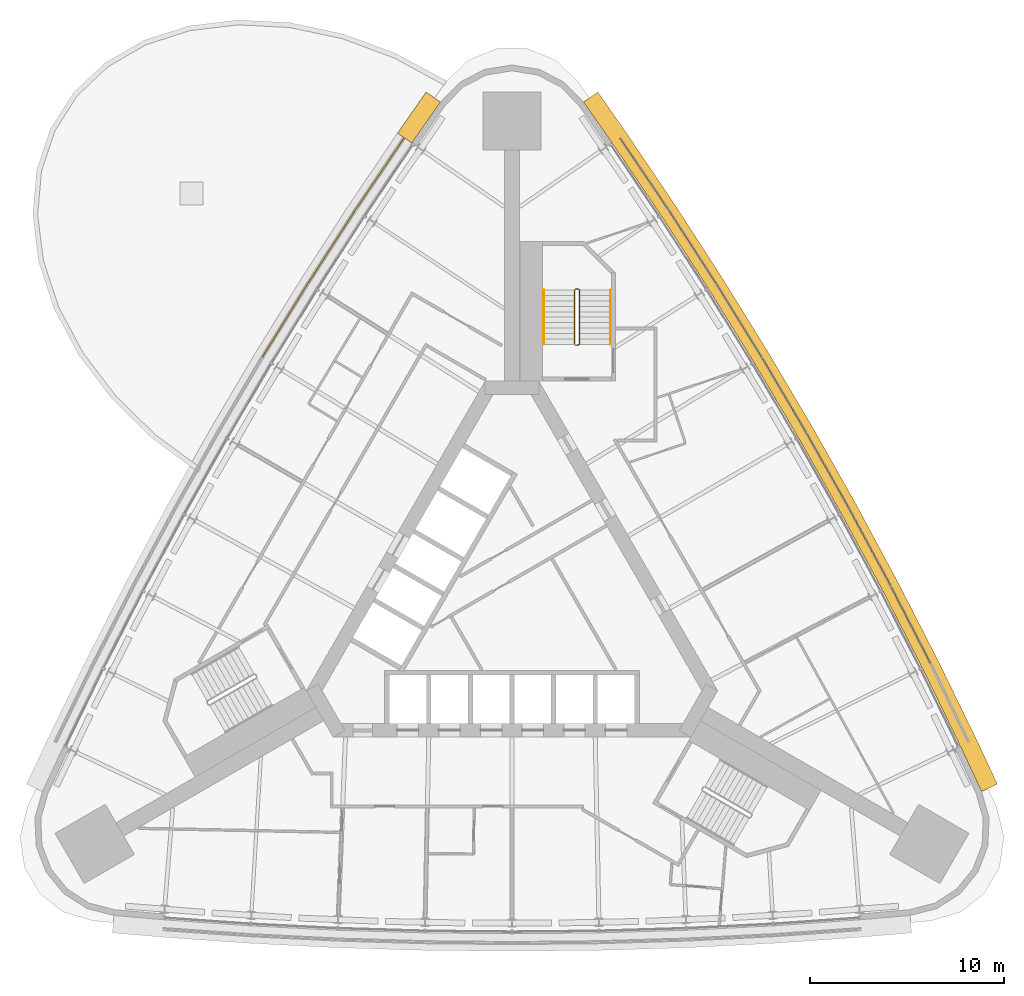
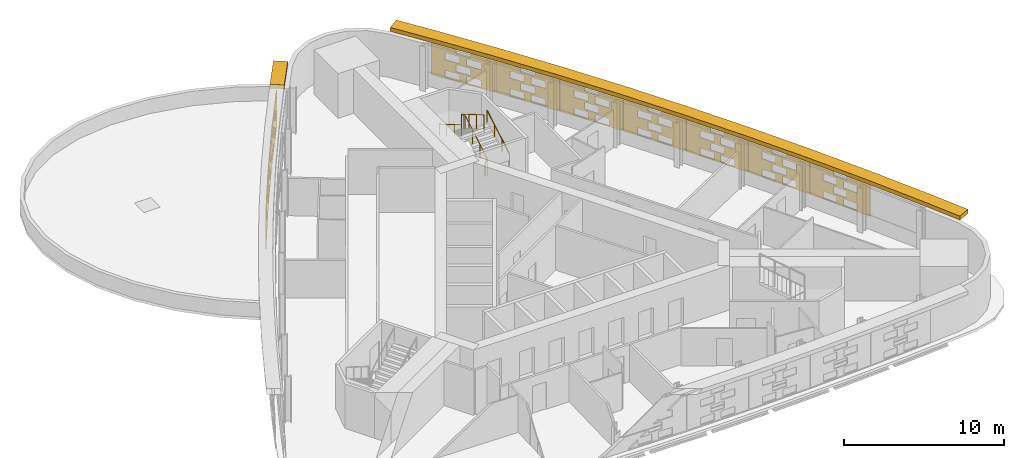
# One storey, part 12 of 12: 12 shading devices, 3 railings.
"""IFC4 building model written with IfcOpenShell, lengths in metres."""

from ifc_helpers import new_model, si_unit, direction, frame, origin, origin_2d, place, context, subcontext, project, spatial, polyline, circle, outline, extrude, material, material_profile, profile_set, type_object, element, save


model = new_model("IFC4")

# Units and contexts
model_context = context("Model", 3, precision=1e-05, world=origin(), true_north=direction((0.0, 1.0)))
body_context = subcontext(model_context, "Body", "Model", "MODEL_VIEW")
ifc_project = project(units=[si_unit("LENGTHUNIT", "METRE"), si_unit("AREAUNIT", "SQUARE_METRE"), si_unit("VOLUMEUNIT", "CUBIC_METRE"), si_unit("PLANEANGLEUNIT", "RADIAN"), si_unit("MASSUNIT", "GRAM", prefix="KILO")], contexts=[model_context])

# Site, building, storey
site_placement = place(None, origin())
site = spatial("IfcSite", under=ifc_project, at=site_placement, CompositionType="ELEMENT")
building_placement = place(site_placement, origin())
building = spatial("IfcBuilding", under=site, at=building_placement, Name="Noor Cloister Tower", CompositionType="ELEMENT")
storey_placement = place(building_placement, frame((0.0, 0.0, 105.89990234375)))
storey = spatial("IfcBuildingStorey", under=building, at=storey_placement, Name="L27", CompositionType="ELEMENT", Elevation=105.89990234375)

# Shading devices
ifc_material_1 = material(Name="Limestone", Category="masonry")
ifc_material_profile = material_profile(ifc_material_1, outline(polyline([(-2.22998046875, -1.35009765625), (2.22998046875, -1.35009765625), (2.22998046875, 1.35009765625), (-2.22998046875, 1.35009765625), (-2.22998046875, -1.35009765625)]), holes=[polyline([(-1.25, -1.282470703125), (-0.25, -1.282470703125), (-0.25, -0.742431640625), (-1.25, -0.742431640625), (-1.25, -1.282470703125)]), polyline([(0.25, -1.282470703125), (1.25, -1.282470703125), (1.25, -0.742431640625), (0.25, -0.742431640625), (0.25, -1.282470703125)]), polyline([(-0.5, -0.607421875), (0.5, -0.607421875), (0.5, -0.0673828125), (-0.5, -0.0673828125), (-0.5, -0.607421875)]), polyline([(-1.25, 0.0673828125), (-0.25, 0.0673828125), (-0.25, 0.607421875), (-1.25, 0.607421875), (-1.25, 0.0673828125)]), polyline([(0.25, 0.0673828125), (1.25, 0.0673828125), (1.25, 0.607421875), (0.25, 0.607421875), (0.25, 0.0673828125)]), polyline([(-0.5, 0.742431640625), (0.5, 0.742431640625), (0.5, 1.282470703125), (-0.5, 1.282470703125), (-0.5, 0.742431640625)])]), Name="Woven screen 28 percent open")
ifc_profile_set = profile_set([ifc_material_profile], Name="Limestone")
shading_device_type_1 = type_object("IfcShadingDeviceType", Name="SCREEN woven limestone 28 percent open", PredefinedType="USERDEFINED", material=ifc_profile_set)
shading_device_1_placement = place(storey_placement, frame((-6.802978515625, 22.134765625, 1.85009765625), z_axis=(-0.828283413128, 0.560309367704, 0.0), x_axis=(-0.560309367704, -0.828283413128, 0.0)))
element("IfcShadingDevice", 1, at=shading_device_1_placement, inside=storey, type_object=shading_device_type_1, Name="SCREEN L27 1", ObjectType="SCREEN", PredefinedType="USERDEFINED", context=body_context, shape_type="SweptSolid", body=[
    extrude(outline(polyline([(-2.22998046875, -1.35009765625), (2.22998046875, -1.35009765625), (2.22998046875, 1.35009765625), (-2.22998046875, 1.35009765625), (-2.22998046875, -1.35009765625)]), holes=[polyline([(-1.25, -1.282470703125), (-0.25, -1.282470703125), (-0.25, -0.742431640625), (-1.25, -0.742431640625), (-1.25, -1.282470703125)]), polyline([(0.25, -1.282470703125), (1.25, -1.282470703125), (1.25, -0.742431640625), (0.25, -0.742431640625), (0.25, -1.282470703125)]), polyline([(-0.5, -0.607421875), (0.5, -0.607421875), (0.5, -0.0673828125), (-0.5, -0.0673828125), (-0.5, -0.607421875)]), polyline([(-1.25, 0.0673828125), (-0.25, 0.0673828125), (-0.25, 0.607421875), (-1.25, 0.607421875), (-1.25, 0.0673828125)]), polyline([(0.25, 0.0673828125), (1.25, 0.0673828125), (1.25, 0.607421875), (0.25, 0.607421875), (0.25, 0.0673828125)]), polyline([(-0.5, 0.742431640625), (0.5, 0.742431640625), (0.5, 1.282470703125), (-0.5, 1.282470703125), (-0.5, 0.742431640625)])]), origin(), (0.0, 0.0, 1.0), 0.06005859375),
])
shading_device_2_placement = place(storey_placement, frame((-9.288330078125, 18.373046875, 1.85009765625), z_axis=(-0.840116811995, 0.54240551454, 0.0), x_axis=(-0.54240551454, -0.840116811995, 0.0)))
element("IfcShadingDevice", 2, at=shading_device_2_placement, inside=storey, type_object=shading_device_type_1, Name="SCREEN L27 2", ObjectType="SCREEN", PredefinedType="USERDEFINED", context=body_context, shape_type="SweptSolid", body=[
    extrude(outline(polyline([(-2.22998046875, -1.35009765625), (2.22998046875, -1.35009765625), (2.22998046875, 1.35009765625), (-2.22998046875, 1.35009765625), (-2.22998046875, -1.35009765625)]), holes=[polyline([(-1.25, -1.282470703125), (-0.25, -1.282470703125), (-0.25, -0.742431640625), (-1.25, -0.742431640625), (-1.25, -1.282470703125)]), polyline([(0.25, -1.282470703125), (1.25, -1.282470703125), (1.25, -0.742431640625), (0.25, -0.742431640625), (0.25, -1.282470703125)]), polyline([(-0.5, -0.607421875), (0.5, -0.607421875), (0.5, -0.0673828125), (-0.5, -0.0673828125), (-0.5, -0.607421875)]), polyline([(-1.25, 0.0673828125), (-0.25, 0.0673828125), (-0.25, 0.607421875), (-1.25, 0.607421875), (-1.25, 0.0673828125)]), polyline([(0.25, 0.0673828125), (1.25, 0.0673828125), (1.25, 0.607421875), (0.25, 0.607421875), (0.25, 0.0673828125)]), polyline([(-0.5, 0.742431640625), (0.5, 0.742431640625), (0.5, 1.282470703125), (-0.5, 1.282470703125), (-0.5, 0.742431640625)])]), origin(), (0.0, 0.0, 1.0), 0.059814453125),
])
shading_device_3_placement = place(storey_placement, frame((-11.697509765625, 14.56201171875, 1.85009765625), z_axis=(-0.850958576931, 0.525232805857, 0.0), x_axis=(-0.525232805857, -0.850958576931, 0.0)))
element("IfcShadingDevice", 3, at=shading_device_3_placement, inside=storey, type_object=shading_device_type_1, Name="SCREEN L27 3", ObjectType="SCREEN", PredefinedType="USERDEFINED", context=body_context, shape_type="SweptSolid", body=[
    extrude(outline(polyline([(-2.22998046875, -1.35009765625), (2.22998046875, -1.35009765625), (2.22998046875, 1.35009765625), (-2.22998046875, 1.35009765625), (-2.22998046875, -1.35009765625)]), holes=[polyline([(-1.25, -1.282470703125), (-0.25, -1.282470703125), (-0.25, -0.742431640625), (-1.25, -0.742431640625), (-1.25, -1.282470703125)]), polyline([(0.25, -1.282470703125), (1.25, -1.282470703125), (1.25, -0.742431640625), (0.25, -0.742431640625), (0.25, -1.282470703125)]), polyline([(-0.5, -0.607421875), (0.5, -0.607421875), (0.5, -0.0673828125), (-0.5, -0.0673828125), (-0.5, -0.607421875)]), polyline([(-1.25, 0.0673828125), (-0.25, 0.0673828125), (-0.25, 0.607421875), (-1.25, 0.607421875), (-1.25, 0.0673828125)]), polyline([(0.25, 0.0673828125), (1.25, 0.0673828125), (1.25, 0.607421875), (0.25, 0.607421875), (0.25, 0.0673828125)]), polyline([(-0.5, 0.742431640625), (0.5, 0.742431640625), (0.5, 1.282470703125), (-0.5, 1.282470703125), (-0.5, 0.742431640625)])]), origin(), (0.0, 0.0, 1.0), 0.06005859375),
])
shading_device_4_placement = place(storey_placement, frame((20.5556640625, -1.142578125, 1.85009765625), z_axis=(0.88947737876, 0.456979203766, 0.0), x_axis=(-0.456979203766, 0.88947737876, 0.0)))
element("IfcShadingDevice", 4, at=shading_device_4_placement, inside=storey, type_object=shading_device_type_1, Name="SCREEN L27 2", ObjectType="SCREEN", PredefinedType="USERDEFINED", context=body_context, shape_type="SweptSolid", body=[
    extrude(outline(polyline([(-2.22998046875, -1.35009765625), (2.22998046875, -1.35009765625), (2.22998046875, 1.35009765625), (-2.22998046875, 1.35009765625), (-2.22998046875, -1.35009765625)]), holes=[polyline([(-1.25, -1.282470703125), (-0.25, -1.282470703125), (-0.25, -0.742431640625), (-1.25, -0.742431640625), (-1.25, -1.282470703125)]), polyline([(0.25, -1.282470703125), (1.25, -1.282470703125), (1.25, -0.742431640625), (0.25, -0.742431640625), (0.25, -1.282470703125)]), polyline([(-0.5, -0.607421875), (0.5, -0.607421875), (0.5, -0.0673828125), (-0.5, -0.0673828125), (-0.5, -0.607421875)]), polyline([(-1.25, 0.0673828125), (-0.25, 0.0673828125), (-0.25, 0.607421875), (-1.25, 0.607421875), (-1.25, 0.0673828125)]), polyline([(0.25, 0.0673828125), (1.25, 0.0673828125), (1.25, 0.607421875), (0.25, 0.607421875), (0.25, 0.0673828125)]), polyline([(-0.5, 0.742431640625), (0.5, 0.742431640625), (0.5, 1.282470703125), (-0.5, 1.282470703125), (-0.5, 0.742431640625)])]), origin(), (0.0, 0.0, 1.0), 0.059814453125),
])
shading_device_5_placement = place(storey_placement, frame((18.459716796875, 2.849365234375, 1.85009765625), z_axis=(0.880210472648, 0.474583526727, 0.0), x_axis=(-0.474583526727, 0.880210472648, 0.0)))
element("IfcShadingDevice", 5, at=shading_device_5_placement, inside=storey, type_object=shading_device_type_1, Name="SCREEN L27 3", ObjectType="SCREEN", PredefinedType="USERDEFINED", context=body_context, shape_type="SweptSolid", body=[
    extrude(outline(polyline([(-2.22998046875, -1.35009765625), (2.22998046875, -1.35009765625), (2.22998046875, 1.35009765625), (-2.22998046875, 1.35009765625), (-2.22998046875, -1.35009765625)]), holes=[polyline([(-1.25, -1.282470703125), (-0.25, -1.282470703125), (-0.25, -0.742431640625), (-1.25, -0.742431640625), (-1.25, -1.282470703125)]), polyline([(0.25, -1.282470703125), (1.25, -1.282470703125), (1.25, -0.742431640625), (0.25, -0.742431640625), (0.25, -1.282470703125)]), polyline([(-0.5, -0.607421875), (0.5, -0.607421875), (0.5, -0.0673828125), (-0.5, -0.0673828125), (-0.5, -0.607421875)]), polyline([(-1.25, 0.0673828125), (-0.25, 0.0673828125), (-0.25, 0.607421875), (-1.25, 0.607421875), (-1.25, 0.0673828125)]), polyline([(0.25, 0.0673828125), (1.25, 0.0673828125), (1.25, 0.607421875), (0.25, 0.607421875), (0.25, 0.0673828125)]), polyline([(-0.5, 0.742431640625), (0.5, 0.742431640625), (0.5, 1.282470703125), (-0.5, 1.282470703125), (-0.5, 0.742431640625)])]), origin(), (0.0, 0.0, 1.0), 0.060302734375),
])
for number, where, z_axis, x_axis, name in (
    (6, (16.2841796875, 6.798583984375, 1.85009765625), (0.87048706901, 0.492191286683, 0.0), (-0.492191286683, 0.87048706901, 0.0), "SCREEN L27 4"),
    (7, (14.02978515625, 10.703369140625, 1.85009765625), (0.86141148773, 0.507907716822, 0.0), (-0.507907716822, 0.86141148773, 0.0), "SCREEN L27 5"),
    (8, (11.697509765625, 14.56201171875, 1.85009765625), (0.850958576931, 0.525232805857, 0.0), (-0.525232805857, 0.850958576931, 0.0), "SCREEN L27 6"),
):
    element("IfcShadingDevice", number, at=place(storey_placement, frame(where, z_axis=z_axis, x_axis=x_axis)), inside=storey, type_object=shading_device_type_1, Name=name, ObjectType="SCREEN", PredefinedType="USERDEFINED", context=body_context, shape_type="SweptSolid", body=[
        extrude(outline(polyline([(-2.22998046875, -1.35009765625), (2.22998046875, -1.35009765625), (2.22998046875, 1.35009765625), (-2.22998046875, 1.35009765625), (-2.22998046875, -1.35009765625)]), holes=[polyline([(-1.25, -1.282470703125), (-0.25, -1.282470703125), (-0.25, -0.742431640625), (-1.25, -0.742431640625), (-1.25, -1.282470703125)]), polyline([(0.25, -1.282470703125), (1.25, -1.282470703125), (1.25, -0.742431640625), (0.25, -0.742431640625), (0.25, -1.282470703125)]), polyline([(-0.5, -0.607421875), (0.5, -0.607421875), (0.5, -0.0673828125), (-0.5, -0.0673828125), (-0.5, -0.607421875)]), polyline([(-1.25, 0.0673828125), (-0.25, 0.0673828125), (-0.25, 0.607421875), (-1.25, 0.607421875), (-1.25, 0.0673828125)]), polyline([(0.25, 0.0673828125), (1.25, 0.0673828125), (1.25, 0.607421875), (0.25, 0.607421875), (0.25, 0.0673828125)]), polyline([(-0.5, 0.742431640625), (0.5, 0.742431640625), (0.5, 1.282470703125), (-0.5, 1.282470703125), (-0.5, 0.742431640625)])]), origin(), (0.0, 0.0, 1.0), 0.06005859375),
    ])
shading_device_6_placement = place(storey_placement, frame((9.288330078125, 18.373046875, 1.85009765625), z_axis=(0.840116811995, 0.54240551454, 0.0), x_axis=(-0.54240551454, 0.840116811995, 0.0)))
element("IfcShadingDevice", 9, at=shading_device_6_placement, inside=storey, type_object=shading_device_type_1, Name="SCREEN L27 7", ObjectType="SCREEN", PredefinedType="USERDEFINED", context=body_context, shape_type="SweptSolid", body=[
    extrude(outline(polyline([(-2.22998046875, -1.35009765625), (2.22998046875, -1.35009765625), (2.22998046875, 1.35009765625), (-2.22998046875, 1.35009765625), (-2.22998046875, -1.35009765625)]), holes=[polyline([(-1.25, -1.282470703125), (-0.25, -1.282470703125), (-0.25, -0.742431640625), (-1.25, -0.742431640625), (-1.25, -1.282470703125)]), polyline([(0.25, -1.282470703125), (1.25, -1.282470703125), (1.25, -0.742431640625), (0.25, -0.742431640625), (0.25, -1.282470703125)]), polyline([(-0.5, -0.607421875), (0.5, -0.607421875), (0.5, -0.0673828125), (-0.5, -0.0673828125), (-0.5, -0.607421875)]), polyline([(-1.25, 0.0673828125), (-0.25, 0.0673828125), (-0.25, 0.607421875), (-1.25, 0.607421875), (-1.25, 0.0673828125)]), polyline([(0.25, 0.0673828125), (1.25, 0.0673828125), (1.25, 0.607421875), (0.25, 0.607421875), (0.25, 0.0673828125)]), polyline([(-0.5, 0.742431640625), (0.5, 0.742431640625), (0.5, 1.282470703125), (-0.5, 1.282470703125), (-0.5, 0.742431640625)])]), origin(), (0.0, 0.0, 1.0), 0.059814453125),
])
shading_device_7_placement = place(storey_placement, frame((6.802978515625, 22.134765625, 1.85009765625), z_axis=(0.828283413128, 0.560309367704, 0.0), x_axis=(-0.560309367704, 0.828283413128, 0.0)))
element("IfcShadingDevice", 10, at=shading_device_7_placement, inside=storey, type_object=shading_device_type_1, Name="SCREEN L27 8", ObjectType="SCREEN", PredefinedType="USERDEFINED", context=body_context, shape_type="SweptSolid", body=[
    extrude(outline(polyline([(-2.22998046875, -1.35009765625), (2.22998046875, -1.35009765625), (2.22998046875, 1.35009765625), (-2.22998046875, 1.35009765625), (-2.22998046875, -1.35009765625)]), holes=[polyline([(-1.25, -1.282470703125), (-0.25, -1.282470703125), (-0.25, -0.742431640625), (-1.25, -0.742431640625), (-1.25, -1.282470703125)]), polyline([(0.25, -1.282470703125), (1.25, -1.282470703125), (1.25, -0.742431640625), (0.25, -0.742431640625), (0.25, -1.282470703125)]), polyline([(-0.5, -0.607421875), (0.5, -0.607421875), (0.5, -0.0673828125), (-0.5, -0.0673828125), (-0.5, -0.607421875)]), polyline([(-1.25, 0.0673828125), (-0.25, 0.0673828125), (-0.25, 0.607421875), (-1.25, 0.607421875), (-1.25, 0.0673828125)]), polyline([(0.25, 0.0673828125), (1.25, 0.0673828125), (1.25, 0.607421875), (0.25, 0.607421875), (0.25, 0.0673828125)]), polyline([(-0.5, 0.742431640625), (0.5, 0.742431640625), (0.5, 1.282470703125), (-0.5, 1.282470703125), (-0.5, 0.742431640625)])]), origin(), (0.0, 0.0, 1.0), 0.06005859375),
])
ifc_material_2 = material(Name="Limestone", Category="masonry")
shading_device_type_2 = type_object("IfcShadingDeviceType", Name="SUNSHADE limestone band 900", PredefinedType="USERDEFINED", material=ifc_material_2)
shading_device_8_placement = place(storey_placement, frame((0.0, 0.0, 3.300048828125)))
element("IfcShadingDevice", 11, at=shading_device_8_placement, inside=storey, type_object=shading_device_type_2, Name="SUNSHADE L27 3", ObjectType="SUNSHADE", PredefinedType="USERDEFINED", context=body_context, shape_type="SweptSolid", body=[
    extrude(outline(polyline([(25.059814453125, -9.350830078125), (23.9638671875, -7.0078125), (21.986083984375, -2.947998046875), (19.92626953125, 1.0732421875), (17.7861328125, 5.052001953125), (15.56640625, 8.9873046875), (13.268310546875, 12.877197265625), (10.892333984375, 16.719970703125), (8.43994140625, 20.514404296875), (5.912841796875, 24.25732421875), (4.431884765625, 26.3779296875), (3.694091796875, 25.862548828125), (5.1708984375, 23.747802734375), (7.68896484375, 20.018310546875), (10.131591796875, 16.239013671875), (12.498046875, 12.41162109375), (14.786865234375, 8.537353515625), (16.99755859375, 4.617919921875), (19.129150390625, 0.65478515625), (21.180908203125, -3.350341796875), (23.151611328125, -7.395751953125), (24.24462890625, -9.732177734375), (25.059814453125, -9.350830078125)])), origin(), (0.0, 0.0, 1.0), 0.300048828125),
])
shading_device_9_placement = place(storey_placement, frame((0.0, 0.0, 3.300048828125)))
element("IfcShadingDevice", 12, at=shading_device_9_placement, inside=storey, type_object=shading_device_type_2, Name="SUNSHADE L27 4", ObjectType="SUNSHADE", PredefinedType="USERDEFINED", context=body_context, shape_type="SweptSolid", body=[
    extrude(outline(polyline([(-4.431884765625, 26.3779296875), (-5.908935546875, 24.26318359375), (-5.1708984375, 23.747802734375), (-3.694091796875, 25.862548828125), (-4.431884765625, 26.3779296875)])), origin(), (0.0, 0.0, 1.0), 0.300048828125),
])

# Railings
ifc_material_3 = material(Name="Stainless steel", Category="steel")
railing_type_1 = type_object("IfcRailingType", Name="Stair guard 1100", PredefinedType="GUARDRAIL", material=ifc_material_3)
railing_1_placement = place(storey_placement, frame((3.435546875, 13.306396484375, 0.0)))
element("IfcRailing", 13, at=railing_1_placement, inside=storey, type_object=railing_type_1, Name="Stair guard ST1 L27", PredefinedType="GUARDRAIL", context=body_context, shape_type="SweptSolid", body=[
    extrude(circle(Radius=0.02392578125, at=origin_2d()), frame((0.0, 0.0, 1.076171875), z_axis=(-1.0, 0.0, 0.0), x_axis=(0.0, -1.0, 0.0)), (0.0, 0.0, 1.0), 0.14990234375),
    extrude(circle(Radius=0.02392578125, at=origin_2d()), frame((-0.14990234375, 0.0, 1.076171875), z_axis=(0.759432192796, 0.190089865108, 0.622196582865), x_axis=(-0.242814311512, 0.970072785993, 0.0)), (0.0, 0.0, 1.0), 0.26318359375),
    extrude(circle(Radius=0.02392578125, at=origin_2d()), frame((0.050048828125, 0.050048828125, 1.23974609375), z_axis=(0.0, 0.863393664356, 0.504530851732), x_axis=(-1.0, 0.0, 0.0)), (0.0, 0.0, 1.0), 3.2431640625),
    extrude(circle(Radius=0.02392578125, at=origin_2d()), frame((0.050048828125, 2.85009765625, 2.8759765625), z_axis=(-0.708833529934, 0.705375805398, 0.0), x_axis=(-0.705375805398, -0.708833529934, 0.0)), (0.0, 0.0, 1.0), 0.070556640625),
    extrude(circle(Radius=0.02392578125, at=origin_2d()), frame((0.0, 2.89990234375, 2.8759765625), z_axis=(-1.0, 0.0, 0.0), x_axis=(0.0, -1.0, 0.0)), (0.0, 0.0, 1.0), 0.14990234375),
    extrude(circle(Radius=0.02392578125, at=origin_2d()), frame((-0.14990234375, 2.89990234375, 2.8759765625), z_axis=(-0.280916556609, -0.279546231943, 0.91811752648), x_axis=(0.705375805398, -0.708833529934, 0.0)), (0.0, 0.0, 1.0), 0.17822265625),
    extrude(circle(Radius=0.02392578125, at=origin_2d()), frame((-0.199951171875, 2.85009765625, 3.03955078125), z_axis=(0.0, -0.863360870873, 0.504586966384), x_axis=(1.0, 0.0, 0.0)), (0.0, 0.0, 1.0), 3.2431640625),
    extrude(circle(Radius=0.02099609375, at=origin_2d()), origin(), (0.0, 0.0, 1.0), 1.052001953125),
    extrude(circle(Radius=0.02099609375, at=origin_2d()), frame((-0.14990234375, 0.0, 0.0)), (0.0, 0.0, 1.0), 1.052001953125),
    extrude(circle(Radius=0.02099609375, at=origin_2d()), frame((0.050048828125, 0.050048828125, 0.163818359375)), (0.0, 0.0, 1.0), 1.052001953125),
    extrude(circle(Radius=0.02099609375, at=origin_2d()), frame((0.050048828125, 0.9833984375, 0.709228515625)), (0.0, 0.0, 1.0), 1.052001953125),
    extrude(circle(Radius=0.02099609375, at=origin_2d()), frame((0.050048828125, 1.916748046875, 1.254638671875)), (0.0, 0.0, 1.0), 1.052001953125),
    extrude(circle(Radius=0.02099609375, at=origin_2d()), frame((0.050048828125, 2.85009765625, 1.800048828125)), (0.0, 0.0, 1.0), 1.052001953125),
    extrude(circle(Radius=0.02099609375, at=origin_2d()), frame((0.0, 2.89990234375, 1.800048828125)), (0.0, 0.0, 1.0), 1.052001953125),
    extrude(circle(Radius=0.02099609375, at=origin_2d()), frame((-0.14990234375, 2.89990234375, 1.800048828125)), (0.0, 0.0, 1.0), 1.052001953125),
    extrude(circle(Radius=0.02099609375, at=origin_2d()), frame((-0.199951171875, 2.85009765625, 1.963623046875)), (0.0, 0.0, 1.0), 1.052001953125),
    extrude(circle(Radius=0.02099609375, at=origin_2d()), frame((-0.199951171875, 1.916748046875, 2.509033203125)), (0.0, 0.0, 1.0), 1.052001953125),
    extrude(circle(Radius=0.02099609375, at=origin_2d()), frame((-0.199951171875, 0.9833984375, 3.0546875)), (0.0, 0.0, 1.0), 1.052001953125),
    extrude(circle(Radius=0.02099609375, at=origin_2d()), frame((-0.199951171875, 0.050048828125, 3.60009765625)), (0.0, 0.0, 1.0), 1.052001953125),
])
ifc_material_4 = material(Name="Stainless steel", Category="steel")
railing_type_2 = type_object("IfcRailingType", Name="Stair handrail 900", PredefinedType="HANDRAIL", material=ifc_material_4)
railing_2_placement = place(storey_placement, frame((5.085693359375, 13.3564453125, 0.163818359375)))
element("IfcRailing", 14, at=railing_2_placement, inside=storey, type_object=railing_type_2, Name="Stair handrail ST1 L27 1", PredefinedType="HANDRAIL", context=body_context, shape_type="SweptSolid", body=[
    extrude(circle(Radius=0.02392578125, at=origin_2d()), frame((0.0, 0.0, 0.8759765625), z_axis=(0.0, 0.863393664356, 0.504530851732), x_axis=(-1.0, 0.0, 0.0)), (0.0, 0.0, 1.0), 3.2431640625),
    extrude(circle(Radius=0.02099609375, at=origin_2d()), origin(), (0.0, 0.0, 1.0), 0.851806640625),
    extrude(circle(Radius=0.02099609375, at=origin_2d()), frame((0.0, 0.933349609375, 0.54541015625)), (0.0, 0.0, 1.0), 0.851806640625),
    extrude(circle(Radius=0.02099609375, at=origin_2d()), frame((0.0, 1.86669921875, 1.0908203125)), (0.0, 0.0, 1.0), 0.851806640625),
    extrude(circle(Radius=0.02099609375, at=origin_2d()), frame((0.0, 2.800048828125, 1.63623046875)), (0.0, 0.0, 1.0), 0.851806640625),
])
railing_3_placement = place(storey_placement, frame((1.6357421875, 16.156494140625, 1.963623046875)))
element("IfcRailing", 15, at=railing_3_placement, inside=storey, type_object=railing_type_2, Name="Stair handrail ST1 L27 2", PredefinedType="HANDRAIL", context=body_context, shape_type="SweptSolid", body=[
    extrude(circle(Radius=0.02392578125, at=origin_2d()), frame((0.0, 0.0, 0.8759765625), z_axis=(0.0, -0.863360870873, 0.504586966384), x_axis=(1.0, 0.0, 0.0)), (0.0, 0.0, 1.0), 3.2431640625),
    extrude(circle(Radius=0.02099609375, at=origin_2d()), origin(), (0.0, 0.0, 1.0), 0.851806640625),
    extrude(circle(Radius=0.02099609375, at=origin_2d()), frame((0.0, -0.933349609375, 0.54541015625)), (0.0, 0.0, 1.0), 0.851806640625),
    extrude(circle(Radius=0.02099609375, at=origin_2d()), frame((0.0, -1.86669921875, 1.091064453125)), (0.0, 0.0, 1.0), 0.851806640625),
    extrude(circle(Radius=0.02099609375, at=origin_2d()), frame((0.0, -2.800048828125, 1.636474609375)), (0.0, 0.0, 1.0), 0.851806640625),
])

save(model, "model.ifc")
